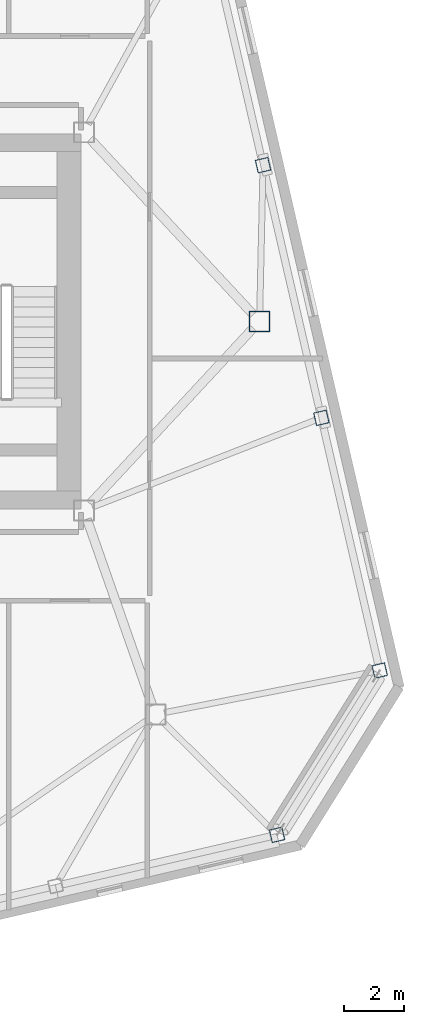
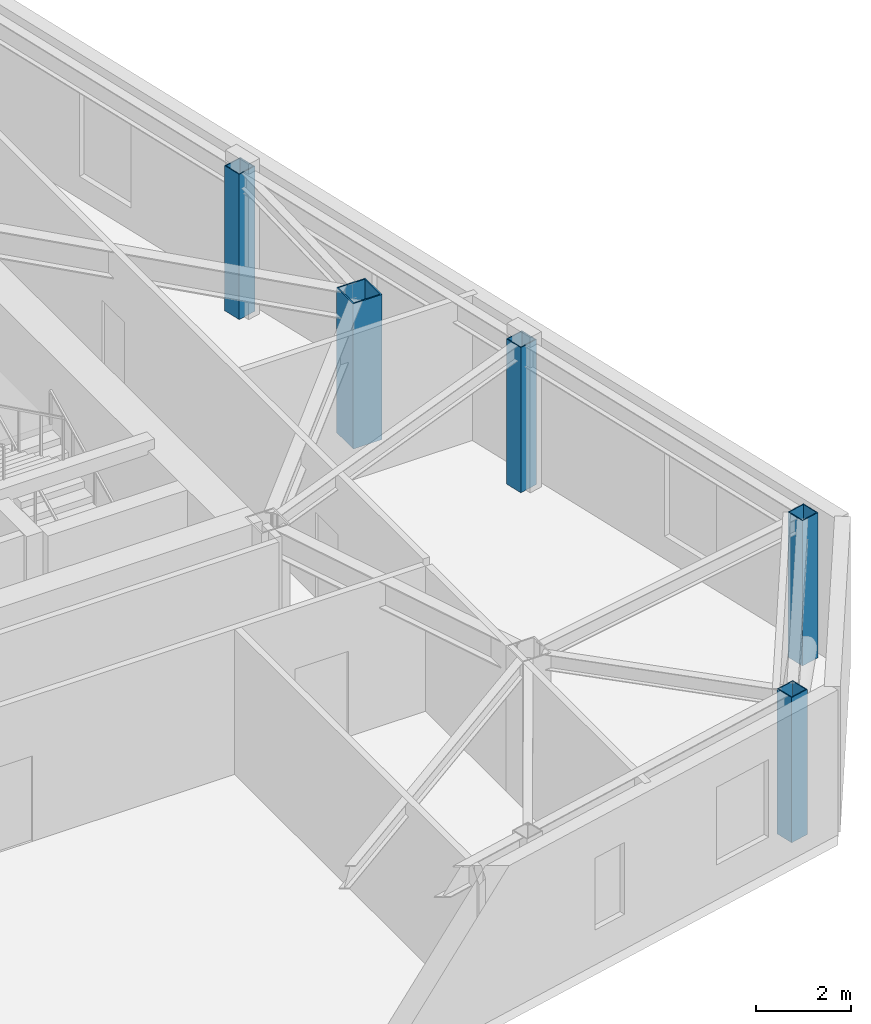
# One storey, part 3 of 24: 5 columns.
"""IFC4 building model written with IfcOpenShell, lengths in metres."""

from ifc_helpers import new_model, si_unit, direction, frame, origin, origin_2d, place, context, subcontext, project, spatial, hollow_rectangle, extrude, material, material_profile, profile_set, type_object, element, save


model = new_model("IFC4")

# Units and contexts
model_context = context("Model", 3, precision=1e-05, world=origin(), true_north=direction((0.0, 1.0)))
body_context = subcontext(model_context, "Body", "Model", "MODEL_VIEW")
ifc_project = project(units=[si_unit("LENGTHUNIT", "METRE"), si_unit("AREAUNIT", "SQUARE_METRE"), si_unit("VOLUMEUNIT", "CUBIC_METRE"), si_unit("PLANEANGLEUNIT", "RADIAN"), si_unit("MASSUNIT", "GRAM", prefix="KILO")], contexts=[model_context])

# Site, building, storey
site_placement = place(None, origin())
site = spatial("IfcSite", under=ifc_project, at=site_placement, CompositionType="ELEMENT")
building_placement = place(site_placement, origin())
building = spatial("IfcBuilding", under=site, at=building_placement, Name="Tavrogorsk Clinical Tower", CompositionType="ELEMENT")
storey_placement = place(building_placement, frame((0.0, 0.0, 321.0)))
storey = spatial("IfcBuildingStorey", under=building, at=storey_placement, Name="L75", CompositionType="ELEMENT", Elevation=321.0)

# Columns
ifc_material_1 = material(Name="Structural steel S440", Category="steel")
ifc_material_profile_1 = material_profile(ifc_material_1, hollow_rectangle(XDim=0.699951171875, YDim=0.699951171875, WallThickness=0.031982421875, at=origin_2d()), Name="BOX-700x700x32")
ifc_profile_set_1 = profile_set([ifc_material_profile_1], Name="Structural steel S440")
column_type_1 = type_object("IfcColumnType", Name="MegaCol_BOX700", PredefinedType="COLUMN", material=ifc_profile_set_1)
column_placement = place(storey_placement, frame((28.0, 0.0, 0.0), z_axis=(0.0, 0.0, 1.0), x_axis=(1.0, 0.0, 0.0)))
element("IfcColumn", 1, at=column_placement, inside=storey, type_object=column_type_1, Name="L75 Spine Pilotis Column MC-P6", PredefinedType="COLUMN", context=body_context, shape_type="SweptSolid", body=[
    extrude(hollow_rectangle(XDim=0.699951171875, YDim=0.699951171875, WallThickness=0.031982421875, at=origin_2d()), origin(), (0.0, 0.0, 1.0), 3.739990234375),
])
ifc_material_2 = material(Name="Structural steel S440", Category="steel")
ifc_material_profile_2 = material_profile(ifc_material_2, hollow_rectangle(XDim=0.449951171875, YDim=0.449951171875, WallThickness=0.02197265625, at=origin_2d()), Name="BOX-450x450x22")
ifc_profile_set_2 = profile_set([ifc_material_profile_2], Name="Structural steel S440")
column_type_2 = type_object("IfcColumnType", Name="PerimCol_B5_BOX450", PredefinedType="COLUMN", material=ifc_profile_set_2)
for number, where, z_axis, x_axis, name in (
    (2, (28.588623046875, -17.244873046875, 0.0), (0.0, 0.0, 1.0), (0.974370064785, 0.224951054344, 0.0), "L75 Perimeter Column S8"),
    (3, (32.035888671875, -11.72802734375, 0.0), (0.0, 0.0, 1.0), (0.974370064785, 0.224951054344, 0.0), "L75 Perimeter Column E1"),
    (4, (30.07666015625, -3.2412109375, 0.0), (0.0, 0.0, 1.0), (0.974370064785, 0.224951054344, 0.0), "L75 Perimeter Column E2"),
    (5, (28.1171875, 5.24560546875, 0.0), (0.0, 0.0, 1.0), (0.974370064785, 0.224951054344, 0.0), "L75 Perimeter Column E3"),
):
    element("IfcColumn", number, at=place(storey_placement, frame(where, z_axis=z_axis, x_axis=x_axis)), inside=storey, type_object=column_type_2, Name=name, PredefinedType="COLUMN", context=body_context, shape_type="SweptSolid", body=[
        extrude(hollow_rectangle(XDim=0.449951171875, YDim=0.449951171875, WallThickness=0.02197265625, at=origin_2d()), origin(), (0.0, 0.0, 1.0), 3.739990234375),
    ])

save(model, "model.ifc")
